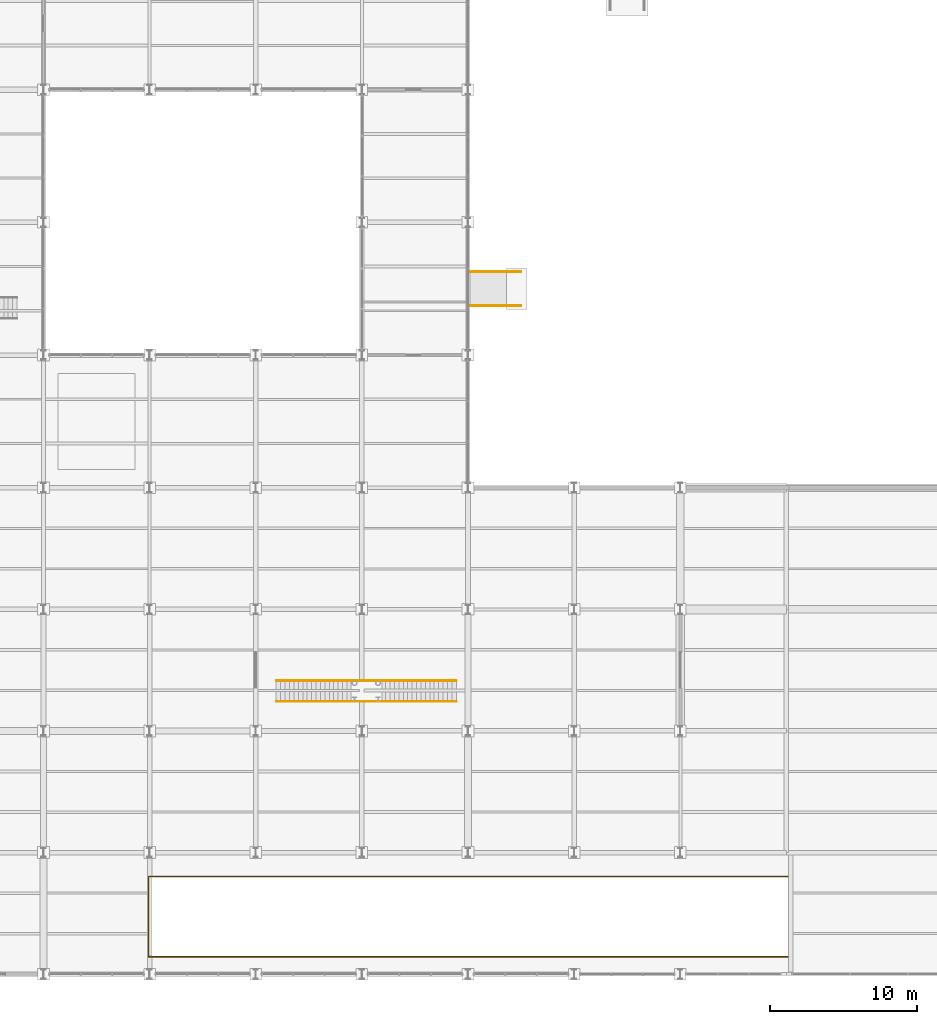
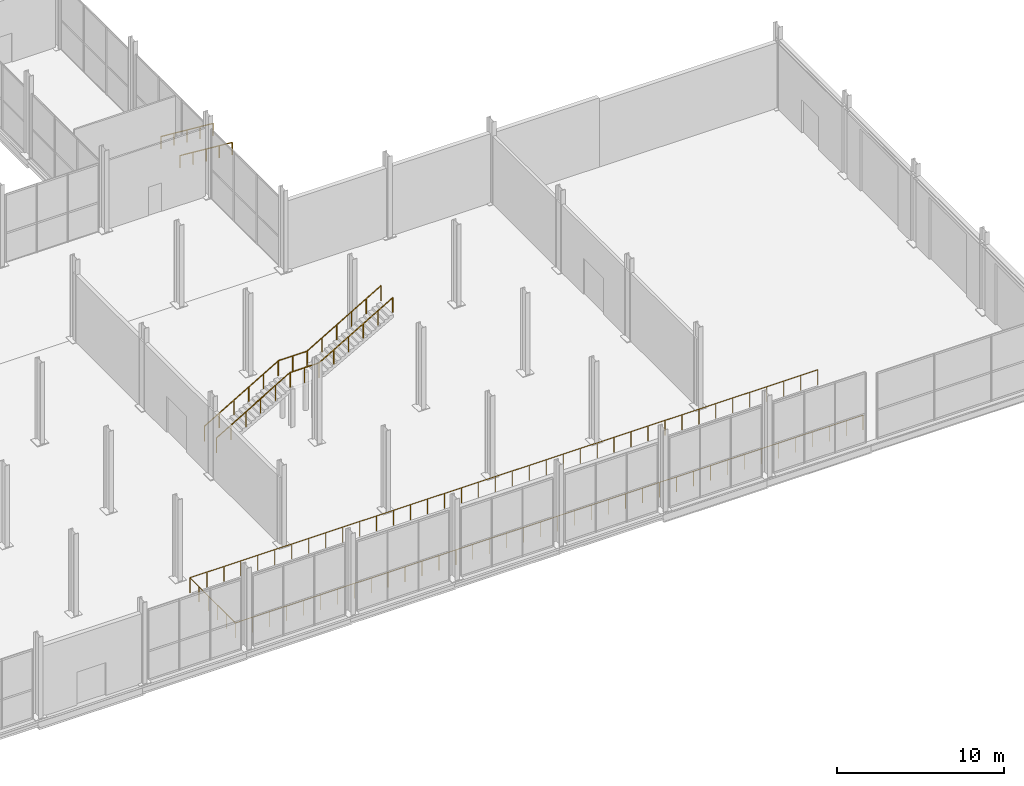
# One storey, part 143 of 144: 5 railings.
"""IFC4 building model written with IfcOpenShell, lengths in metres."""

from ifc_helpers import new_model, si_unit, direction, frame, origin, origin_2d, place, context, subcontext, project, spatial, circle, extrude, material, type_object, element, save


model = new_model("IFC4")

# Units and contexts
model_context = context("Model", 3, precision=1e-05, world=origin(), true_north=direction((0.0, 1.0)))
body_context = subcontext(model_context, "Body", "Model", "MODEL_VIEW")
ifc_project = project(units=[si_unit("LENGTHUNIT", "METRE"), si_unit("AREAUNIT", "SQUARE_METRE"), si_unit("VOLUMEUNIT", "CUBIC_METRE"), si_unit("PLANEANGLEUNIT", "RADIAN"), si_unit("MASSUNIT", "GRAM", prefix="KILO")], contexts=[model_context])

# Site, building, storey
site_placement = place(None, origin())
site = spatial("IfcSite", under=ifc_project, at=site_placement, CompositionType="ELEMENT")
building_placement = place(site_placement, origin())
building = spatial("IfcBuilding", under=site, at=building_placement, Name="Sundgate Opera House", CompositionType="ELEMENT")
storey_placement = place(building_placement, origin())
storey = spatial("IfcBuildingStorey", under=building, at=storey_placement, Name="L00", CompositionType="ELEMENT", Elevation=0.0)

# Railings
ifc_material_1 = material(Name="Patinated bronze forja metalwork", Category="steel")
railing_type_1 = type_object("IfcRailingType", Name="RL-FORJA-BAL-1100", PredefinedType="BALUSTRADE", material=ifc_material_1)
railing_1_placement = place(storey_placement, frame((167.52001953125, 1.179931640625, 0.0)))
element("IfcRailing", 1, at=railing_1_placement, inside=storey, type_object=railing_type_1, Name="L00 Vehicle Ramp Opening Balustrade RL0316", PredefinedType="BALUSTRADE", context=body_context, shape_type="SweptSolid", body=[
    extrude(circle(Radius=0.02392578125, at=origin_2d()), frame((0.0, 0.0, 1.09619140625), z_axis=(-1.0, 0.0, 0.0), x_axis=(0.0, -1.0, 0.0)), (0.0, 0.0, 1.0), 43.39990234375),
    extrude(circle(Radius=0.02392578125, at=origin_2d()), frame((-43.39990234375, 0.0, 1.09619140625), z_axis=(0.0, 1.0, 0.0), x_axis=(-1.0, 0.0, 0.0)), (0.0, 0.0, 1.0), 5.440185546875),
    extrude(circle(Radius=0.02392578125, at=origin_2d()), frame((-43.39990234375, 5.440185546875, 1.09619140625), z_axis=(1.0, 0.0, 0.0), x_axis=(0.0, 1.0, 0.0)), (0.0, 0.0, 1.0), 43.39990234375),
    extrude(circle(Radius=0.02099609375, at=origin_2d()), origin(), (0.0, 0.0, 1.0), 1.072021484375),
    extrude(circle(Radius=0.02099609375, at=origin_2d()), frame((-1.1728515625, 0.0, 0.0)), (0.0, 0.0, 1.0), 1.072021484375),
    extrude(circle(Radius=0.02099609375, at=origin_2d()), frame((-2.345947265625, 0.0, 0.0)), (0.0, 0.0, 1.0), 1.072021484375),
    extrude(circle(Radius=0.02099609375, at=origin_2d()), frame((-3.518798828125, 0.0, 0.0)), (0.0, 0.0, 1.0), 1.072021484375),
    extrude(circle(Radius=0.02099609375, at=origin_2d()), frame((-4.69189453125, 0.0, 0.0)), (0.0, 0.0, 1.0), 1.072021484375),
    extrude(circle(Radius=0.02099609375, at=origin_2d()), frame((-5.86474609375, 0.0, 0.0)), (0.0, 0.0, 1.0), 1.072021484375),
    extrude(circle(Radius=0.02099609375, at=origin_2d()), frame((-7.037841796875, 0.0, 0.0)), (0.0, 0.0, 1.0), 1.072021484375),
    extrude(circle(Radius=0.02099609375, at=origin_2d()), frame((-8.210693359375, 0.0, 0.0)), (0.0, 0.0, 1.0), 1.072021484375),
    extrude(circle(Radius=0.02099609375, at=origin_2d()), frame((-9.3837890625, 0.0, 0.0)), (0.0, 0.0, 1.0), 1.072021484375),
    extrude(circle(Radius=0.02099609375, at=origin_2d()), frame((-10.556640625, 0.0, 0.0)), (0.0, 0.0, 1.0), 1.072021484375),
    extrude(circle(Radius=0.02099609375, at=origin_2d()), frame((-11.729736328125, 0.0, 0.0)), (0.0, 0.0, 1.0), 1.072021484375),
    extrude(circle(Radius=0.02099609375, at=origin_2d()), frame((-12.902587890625, 0.0, 0.0)), (0.0, 0.0, 1.0), 1.072021484375),
    extrude(circle(Radius=0.02099609375, at=origin_2d()), frame((-14.07568359375, 0.0, 0.0)), (0.0, 0.0, 1.0), 1.072021484375),
    extrude(circle(Radius=0.02099609375, at=origin_2d()), frame((-15.24853515625, 0.0, 0.0)), (0.0, 0.0, 1.0), 1.072021484375),
    extrude(circle(Radius=0.02099609375, at=origin_2d()), frame((-16.421630859375, 0.0, 0.0)), (0.0, 0.0, 1.0), 1.072021484375),
    extrude(circle(Radius=0.02099609375, at=origin_2d()), frame((-17.594482421875, 0.0, 0.0)), (0.0, 0.0, 1.0), 1.072021484375),
    extrude(circle(Radius=0.02099609375, at=origin_2d()), frame((-18.767578125, 0.0, 0.0)), (0.0, 0.0, 1.0), 1.072021484375),
    extrude(circle(Radius=0.02099609375, at=origin_2d()), frame((-19.9404296875, 0.0, 0.0)), (0.0, 0.0, 1.0), 1.072021484375),
    extrude(circle(Radius=0.02099609375, at=origin_2d()), frame((-21.113525390625, 0.0, 0.0)), (0.0, 0.0, 1.0), 1.072021484375),
    extrude(circle(Radius=0.02099609375, at=origin_2d()), frame((-22.286376953125, 0.0, 0.0)), (0.0, 0.0, 1.0), 1.072021484375),
    extrude(circle(Radius=0.02099609375, at=origin_2d()), frame((-23.45947265625, 0.0, 0.0)), (0.0, 0.0, 1.0), 1.072021484375),
    extrude(circle(Radius=0.02099609375, at=origin_2d()), frame((-24.63232421875, 0.0, 0.0)), (0.0, 0.0, 1.0), 1.072021484375),
    extrude(circle(Radius=0.02099609375, at=origin_2d()), frame((-25.805419921875, 0.0, 0.0)), (0.0, 0.0, 1.0), 1.072021484375),
    extrude(circle(Radius=0.02099609375, at=origin_2d()), frame((-26.978271484375, 0.0, 0.0)), (0.0, 0.0, 1.0), 1.072021484375),
    extrude(circle(Radius=0.02099609375, at=origin_2d()), frame((-28.1513671875, 0.0, 0.0)), (0.0, 0.0, 1.0), 1.072021484375),
    extrude(circle(Radius=0.02099609375, at=origin_2d()), frame((-29.32421875, 0.0, 0.0)), (0.0, 0.0, 1.0), 1.072021484375),
    extrude(circle(Radius=0.02099609375, at=origin_2d()), frame((-30.497314453125, 0.0, 0.0)), (0.0, 0.0, 1.0), 1.072021484375),
    extrude(circle(Radius=0.02099609375, at=origin_2d()), frame((-31.670166015625, 0.0, 0.0)), (0.0, 0.0, 1.0), 1.072021484375),
    extrude(circle(Radius=0.02099609375, at=origin_2d()), frame((-32.84326171875, 0.0, 0.0)), (0.0, 0.0, 1.0), 1.072021484375),
    extrude(circle(Radius=0.02099609375, at=origin_2d()), frame((-34.01611328125, 0.0, 0.0)), (0.0, 0.0, 1.0), 1.072021484375),
    extrude(circle(Radius=0.02099609375, at=origin_2d()), frame((-35.189208984375, 0.0, 0.0)), (0.0, 0.0, 1.0), 1.072021484375),
    extrude(circle(Radius=0.02099609375, at=origin_2d()), frame((-36.362060546875, 0.0, 0.0)), (0.0, 0.0, 1.0), 1.072021484375),
    extrude(circle(Radius=0.02099609375, at=origin_2d()), frame((-37.53515625, 0.0, 0.0)), (0.0, 0.0, 1.0), 1.072021484375),
    extrude(circle(Radius=0.02099609375, at=origin_2d()), frame((-38.7080078125, 0.0, 0.0)), (0.0, 0.0, 1.0), 1.072021484375),
    extrude(circle(Radius=0.02099609375, at=origin_2d()), frame((-39.881103515625, 0.0, 0.0)), (0.0, 0.0, 1.0), 1.072021484375),
    extrude(circle(Radius=0.02099609375, at=origin_2d()), frame((-41.053955078125, 0.0, 0.0)), (0.0, 0.0, 1.0), 1.072021484375),
    extrude(circle(Radius=0.02099609375, at=origin_2d()), frame((-42.22705078125, 0.0, 0.0)), (0.0, 0.0, 1.0), 1.072021484375),
    extrude(circle(Radius=0.02099609375, at=origin_2d()), frame((-43.39990234375, 0.0, 0.0)), (0.0, 0.0, 1.0), 1.072021484375),
    extrude(circle(Radius=0.02099609375, at=origin_2d()), frame((-43.39990234375, 1.088134765625, 0.0)), (0.0, 0.0, 1.0), 1.072021484375),
    extrude(circle(Radius=0.02099609375, at=origin_2d()), frame((-43.39990234375, 2.176025390625, 0.0)), (0.0, 0.0, 1.0), 1.072021484375),
    extrude(circle(Radius=0.02099609375, at=origin_2d()), frame((-43.39990234375, 3.26416015625, 0.0)), (0.0, 0.0, 1.0), 1.072021484375),
    extrude(circle(Radius=0.02099609375, at=origin_2d()), frame((-43.39990234375, 4.35205078125, 0.0)), (0.0, 0.0, 1.0), 1.072021484375),
    extrude(circle(Radius=0.02099609375, at=origin_2d()), frame((-43.39990234375, 5.440185546875, 0.0)), (0.0, 0.0, 1.0), 1.072021484375),
    extrude(circle(Radius=0.02099609375, at=origin_2d()), frame((-42.22705078125, 5.440185546875, 0.0)), (0.0, 0.0, 1.0), 1.072021484375),
    extrude(circle(Radius=0.02099609375, at=origin_2d()), frame((-41.053955078125, 5.440185546875, 0.0)), (0.0, 0.0, 1.0), 1.072021484375),
    extrude(circle(Radius=0.02099609375, at=origin_2d()), frame((-39.881103515625, 5.440185546875, 0.0)), (0.0, 0.0, 1.0), 1.072021484375),
    extrude(circle(Radius=0.02099609375, at=origin_2d()), frame((-38.7080078125, 5.440185546875, 0.0)), (0.0, 0.0, 1.0), 1.072021484375),
    extrude(circle(Radius=0.02099609375, at=origin_2d()), frame((-37.53515625, 5.440185546875, 0.0)), (0.0, 0.0, 1.0), 1.072021484375),
    extrude(circle(Radius=0.02099609375, at=origin_2d()), frame((-36.362060546875, 5.440185546875, 0.0)), (0.0, 0.0, 1.0), 1.072021484375),
    extrude(circle(Radius=0.02099609375, at=origin_2d()), frame((-35.189208984375, 5.440185546875, 0.0)), (0.0, 0.0, 1.0), 1.072021484375),
    extrude(circle(Radius=0.02099609375, at=origin_2d()), frame((-34.01611328125, 5.440185546875, 0.0)), (0.0, 0.0, 1.0), 1.072021484375),
    extrude(circle(Radius=0.02099609375, at=origin_2d()), frame((-32.84326171875, 5.440185546875, 0.0)), (0.0, 0.0, 1.0), 1.072021484375),
    extrude(circle(Radius=0.02099609375, at=origin_2d()), frame((-31.670166015625, 5.440185546875, 0.0)), (0.0, 0.0, 1.0), 1.072021484375),
    extrude(circle(Radius=0.02099609375, at=origin_2d()), frame((-30.497314453125, 5.440185546875, 0.0)), (0.0, 0.0, 1.0), 1.072021484375),
    extrude(circle(Radius=0.02099609375, at=origin_2d()), frame((-29.32421875, 5.440185546875, 0.0)), (0.0, 0.0, 1.0), 1.072021484375),
    extrude(circle(Radius=0.02099609375, at=origin_2d()), frame((-28.1513671875, 5.440185546875, 0.0)), (0.0, 0.0, 1.0), 1.072021484375),
    extrude(circle(Radius=0.02099609375, at=origin_2d()), frame((-26.978271484375, 5.440185546875, 0.0)), (0.0, 0.0, 1.0), 1.072021484375),
    extrude(circle(Radius=0.02099609375, at=origin_2d()), frame((-25.805419921875, 5.440185546875, 0.0)), (0.0, 0.0, 1.0), 1.072021484375),
    extrude(circle(Radius=0.02099609375, at=origin_2d()), frame((-24.63232421875, 5.440185546875, 0.0)), (0.0, 0.0, 1.0), 1.072021484375),
    extrude(circle(Radius=0.02099609375, at=origin_2d()), frame((-23.45947265625, 5.440185546875, 0.0)), (0.0, 0.0, 1.0), 1.072021484375),
    extrude(circle(Radius=0.02099609375, at=origin_2d()), frame((-22.286376953125, 5.440185546875, 0.0)), (0.0, 0.0, 1.0), 1.072021484375),
    extrude(circle(Radius=0.02099609375, at=origin_2d()), frame((-21.113525390625, 5.440185546875, 0.0)), (0.0, 0.0, 1.0), 1.072021484375),
    extrude(circle(Radius=0.02099609375, at=origin_2d()), frame((-19.9404296875, 5.440185546875, 0.0)), (0.0, 0.0, 1.0), 1.072021484375),
    extrude(circle(Radius=0.02099609375, at=origin_2d()), frame((-18.767578125, 5.440185546875, 0.0)), (0.0, 0.0, 1.0), 1.072021484375),
    extrude(circle(Radius=0.02099609375, at=origin_2d()), frame((-17.594482421875, 5.440185546875, 0.0)), (0.0, 0.0, 1.0), 1.072021484375),
    extrude(circle(Radius=0.02099609375, at=origin_2d()), frame((-16.421630859375, 5.440185546875, 0.0)), (0.0, 0.0, 1.0), 1.072021484375),
    extrude(circle(Radius=0.02099609375, at=origin_2d()), frame((-15.24853515625, 5.440185546875, 0.0)), (0.0, 0.0, 1.0), 1.072021484375),
    extrude(circle(Radius=0.02099609375, at=origin_2d()), frame((-14.07568359375, 5.440185546875, 0.0)), (0.0, 0.0, 1.0), 1.072021484375),
    extrude(circle(Radius=0.02099609375, at=origin_2d()), frame((-12.902587890625, 5.440185546875, 0.0)), (0.0, 0.0, 1.0), 1.072021484375),
    extrude(circle(Radius=0.02099609375, at=origin_2d()), frame((-11.729736328125, 5.440185546875, 0.0)), (0.0, 0.0, 1.0), 1.072021484375),
    extrude(circle(Radius=0.02099609375, at=origin_2d()), frame((-10.556640625, 5.440185546875, 0.0)), (0.0, 0.0, 1.0), 1.072021484375),
    extrude(circle(Radius=0.02099609375, at=origin_2d()), frame((-9.3837890625, 5.440185546875, 0.0)), (0.0, 0.0, 1.0), 1.072021484375),
    extrude(circle(Radius=0.02099609375, at=origin_2d()), frame((-8.210693359375, 5.440185546875, 0.0)), (0.0, 0.0, 1.0), 1.072021484375),
    extrude(circle(Radius=0.02099609375, at=origin_2d()), frame((-7.037841796875, 5.440185546875, 0.0)), (0.0, 0.0, 1.0), 1.072021484375),
    extrude(circle(Radius=0.02099609375, at=origin_2d()), frame((-5.86474609375, 5.440185546875, 0.0)), (0.0, 0.0, 1.0), 1.072021484375),
    extrude(circle(Radius=0.02099609375, at=origin_2d()), frame((-4.69189453125, 5.440185546875, 0.0)), (0.0, 0.0, 1.0), 1.072021484375),
    extrude(circle(Radius=0.02099609375, at=origin_2d()), frame((-3.518798828125, 5.440185546875, 0.0)), (0.0, 0.0, 1.0), 1.072021484375),
    extrude(circle(Radius=0.02099609375, at=origin_2d()), frame((-2.345947265625, 5.440185546875, 0.0)), (0.0, 0.0, 1.0), 1.072021484375),
    extrude(circle(Radius=0.02099609375, at=origin_2d()), frame((-1.1728515625, 5.440185546875, 0.0)), (0.0, 0.0, 1.0), 1.072021484375),
    extrude(circle(Radius=0.02099609375, at=origin_2d()), frame((0.0, 5.440185546875, 0.0)), (0.0, 0.0, 1.0), 1.072021484375),
])
ifc_material_2 = material(Name="Painted steel S275 guardrail", Category="steel")
railing_type_2 = type_object("IfcRailingType", Name="RL-STAIR-GUARD-1100", PredefinedType="GUARDRAIL", material=ifc_material_2)
railing_2_placement = place(storey_placement, frame((132.800048828125, 18.489990234375, 0.0)))
element("IfcRailing", 2, at=railing_2_placement, inside=storey, type_object=railing_type_2, Name="ST12L00 Continuous Side Guardrail RL0282", PredefinedType="GUARDRAIL", context=body_context, shape_type="SweptSolid", body=[
    extrude(circle(Radius=0.02392578125, at=origin_2d()), frame((0.0, 0.0, 1.076171875), z_axis=(0.861927850727, 0.0, 0.50703094594), x_axis=(0.0, 1.0, 0.0)), (0.0, 0.0, 1.0), 5.916748046875),
    extrude(circle(Radius=0.02392578125, at=origin_2d()), frame((5.099853515625, 0.0, 4.076171875), z_axis=(1.0, 0.0, 0.0), x_axis=(0.0, 1.0, 0.0)), (0.0, 0.0, 1.0), 2.0),
    extrude(circle(Radius=0.02392578125, at=origin_2d()), frame((7.099853515625, 0.0, 4.076171875), z_axis=(0.861938457885, 0.0, 0.507012913858), x_axis=(0.0, 1.0, 0.0)), (0.0, 0.0, 1.0), 5.9169921875),
    extrude(circle(Radius=0.02099609375, at=origin_2d()), origin(), (0.0, 0.0, 1.0), 1.052001953125),
    extrude(circle(Radius=0.02099609375, at=origin_2d()), frame((1.02001953125, 0.0, 0.60009765625)), (0.0, 0.0, 1.0), 1.052001953125),
    extrude(circle(Radius=0.02099609375, at=origin_2d()), frame((2.0400390625, 0.0, 1.199951171875)), (0.0, 0.0, 1.0), 1.052001953125),
    extrude(circle(Radius=0.02099609375, at=origin_2d()), frame((3.059814453125, 0.0, 1.800048828125)), (0.0, 0.0, 1.0), 1.052001953125),
    extrude(circle(Radius=0.02099609375, at=origin_2d()), frame((4.079833984375, 0.0, 2.39990234375)), (0.0, 0.0, 1.0), 1.052001953125),
    extrude(circle(Radius=0.02099609375, at=origin_2d()), frame((5.099853515625, 0.0, 3.0)), (0.0, 0.0, 1.0), 1.052001953125),
    extrude(circle(Radius=0.02099609375, at=origin_2d()), frame((6.099853515625, 0.0, 3.0)), (0.0, 0.0, 1.0), 1.052001953125),
    extrude(circle(Radius=0.02099609375, at=origin_2d()), frame((7.099853515625, 0.0, 3.0)), (0.0, 0.0, 1.0), 1.052001953125),
    extrude(circle(Radius=0.02099609375, at=origin_2d()), frame((8.119873046875, 0.0, 3.60009765625)), (0.0, 0.0, 1.0), 1.052001953125),
    extrude(circle(Radius=0.02099609375, at=origin_2d()), frame((9.139892578125, 0.0, 4.199951171875)), (0.0, 0.0, 1.0), 1.052001953125),
    extrude(circle(Radius=0.02099609375, at=origin_2d()), frame((10.159912109375, 0.0, 4.800048828125)), (0.0, 0.0, 1.0), 1.052001953125),
    extrude(circle(Radius=0.02099609375, at=origin_2d()), frame((11.179931640625, 0.0, 5.39990234375)), (0.0, 0.0, 1.0), 1.052001953125),
    extrude(circle(Radius=0.02099609375, at=origin_2d()), frame((12.199951171875, 0.0, 6.0)), (0.0, 0.0, 1.0), 1.052001953125),
])
railing_3_placement = place(storey_placement, frame((132.800048828125, 19.909912109375, 0.0)))
element("IfcRailing", 3, at=railing_3_placement, inside=storey, type_object=railing_type_2, Name="ST12L00 Continuous Side Guardrail RL0283", PredefinedType="GUARDRAIL", context=body_context, shape_type="SweptSolid", body=[
    extrude(circle(Radius=0.02392578125, at=origin_2d()), frame((0.0, 0.0, 1.076171875), z_axis=(0.861927850727, 0.0, 0.50703094594), x_axis=(0.0, 1.0, 0.0)), (0.0, 0.0, 1.0), 5.916748046875),
    extrude(circle(Radius=0.02392578125, at=origin_2d()), frame((5.099853515625, 0.0, 4.076171875), z_axis=(1.0, 0.0, 0.0), x_axis=(0.0, 1.0, 0.0)), (0.0, 0.0, 1.0), 2.0),
    extrude(circle(Radius=0.02392578125, at=origin_2d()), frame((7.099853515625, 0.0, 4.076171875), z_axis=(0.861938457885, 0.0, 0.507012913858), x_axis=(0.0, 1.0, 0.0)), (0.0, 0.0, 1.0), 5.9169921875),
    extrude(circle(Radius=0.02099609375, at=origin_2d()), origin(), (0.0, 0.0, 1.0), 1.052001953125),
    extrude(circle(Radius=0.02099609375, at=origin_2d()), frame((1.02001953125, 0.0, 0.60009765625)), (0.0, 0.0, 1.0), 1.052001953125),
    extrude(circle(Radius=0.02099609375, at=origin_2d()), frame((2.0400390625, 0.0, 1.199951171875)), (0.0, 0.0, 1.0), 1.052001953125),
    extrude(circle(Radius=0.02099609375, at=origin_2d()), frame((3.059814453125, 0.0, 1.800048828125)), (0.0, 0.0, 1.0), 1.052001953125),
    extrude(circle(Radius=0.02099609375, at=origin_2d()), frame((4.079833984375, 0.0, 2.39990234375)), (0.0, 0.0, 1.0), 1.052001953125),
    extrude(circle(Radius=0.02099609375, at=origin_2d()), frame((5.099853515625, 0.0, 3.0)), (0.0, 0.0, 1.0), 1.052001953125),
    extrude(circle(Radius=0.02099609375, at=origin_2d()), frame((6.099853515625, 0.0, 3.0)), (0.0, 0.0, 1.0), 1.052001953125),
    extrude(circle(Radius=0.02099609375, at=origin_2d()), frame((7.099853515625, 0.0, 3.0)), (0.0, 0.0, 1.0), 1.052001953125),
    extrude(circle(Radius=0.02099609375, at=origin_2d()), frame((8.119873046875, 0.0, 3.60009765625)), (0.0, 0.0, 1.0), 1.052001953125),
    extrude(circle(Radius=0.02099609375, at=origin_2d()), frame((9.139892578125, 0.0, 4.199951171875)), (0.0, 0.0, 1.0), 1.052001953125),
    extrude(circle(Radius=0.02099609375, at=origin_2d()), frame((10.159912109375, 0.0, 4.800048828125)), (0.0, 0.0, 1.0), 1.052001953125),
    extrude(circle(Radius=0.02099609375, at=origin_2d()), frame((11.179931640625, 0.0, 5.39990234375)), (0.0, 0.0, 1.0), 1.052001953125),
    extrude(circle(Radius=0.02099609375, at=origin_2d()), frame((12.199951171875, 0.0, 6.0)), (0.0, 0.0, 1.0), 1.052001953125),
])
ifc_material_3 = material(Name="Brushed stainless steel handrail", Category="steel")
railing_type_3 = type_object("IfcRailingType", Name="RL-STAIR-HAND-900", PredefinedType="HANDRAIL", material=ifc_material_3)
for number, where, name in (
    (4, (149.39990234375, 47.64990234375, -0.300048828125), "RP06 Handrail RL0331"),
    (5, (149.39990234375, 45.35009765625, -0.300048828125), "RP06 Handrail RL0332"),
):
    element("IfcRailing", number, at=place(storey_placement, frame(where)), inside=storey, type_object=railing_type_3, Name=name, PredefinedType="HANDRAIL", context=body_context, shape_type="SweptSolid", body=[
        extrude(circle(Radius=0.02392578125, at=origin_2d()), frame((0.0, 0.0, 0.8759765625), z_axis=(-0.996544359788, 0.0, 0.083062259626), x_axis=(0.0, -1.0, 0.0)), (0.0, 0.0, 1.0), 3.6123046875),
        extrude(circle(Radius=0.02099609375, at=origin_2d()), origin(), (0.0, 0.0, 1.0), 0.851806640625),
        extrude(circle(Radius=0.02099609375, at=origin_2d()), frame((-0.89990234375, 0.0, 0.074951171875)), (0.0, 0.0, 1.0), 0.851806640625),
        extrude(circle(Radius=0.02099609375, at=origin_2d()), frame((-1.7998046875, 0.0, 0.14990234375)), (0.0, 0.0, 1.0), 0.851806640625),
        extrude(circle(Radius=0.02099609375, at=origin_2d()), frame((-2.699951171875, 0.0, 0.22509765625)), (0.0, 0.0, 1.0), 0.851806640625),
        extrude(circle(Radius=0.02099609375, at=origin_2d()), frame((-3.599853515625, 0.0, 0.300048828125)), (0.0, 0.0, 1.0), 0.851806640625),
    ])

save(model, "model.ifc")
